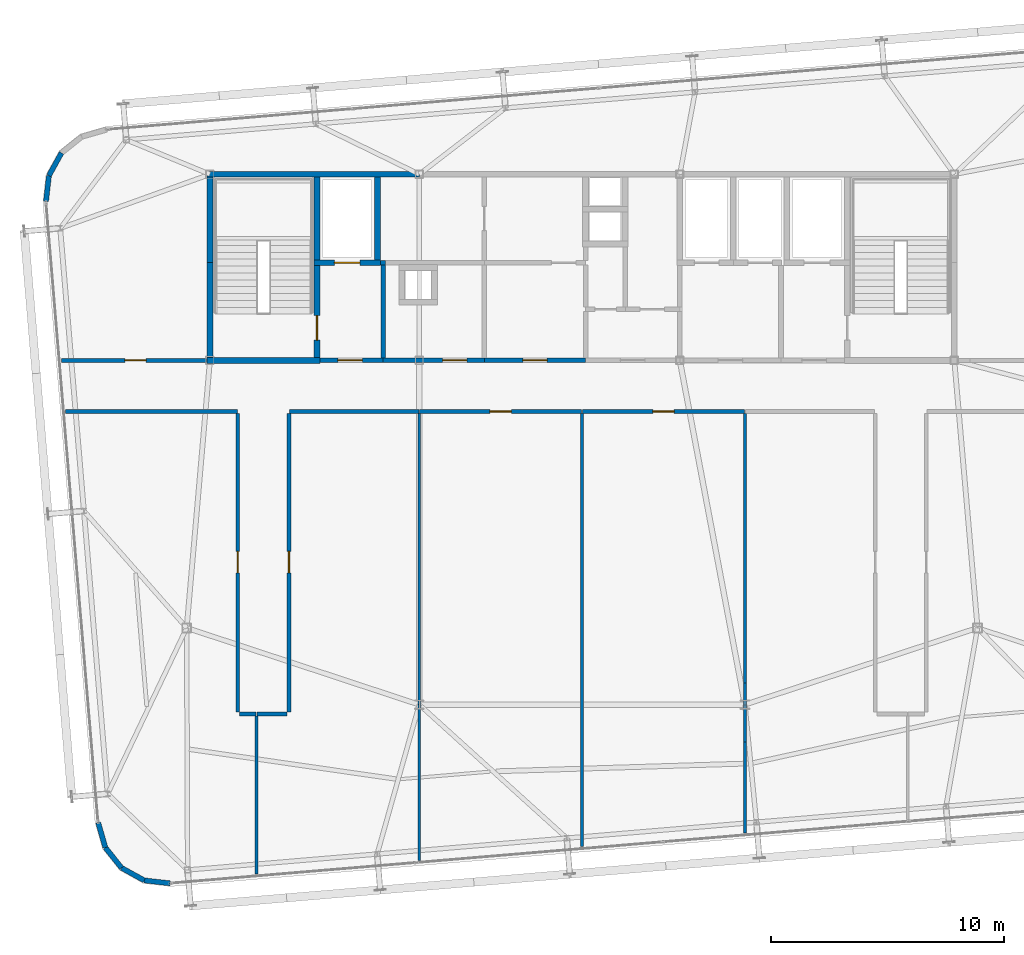
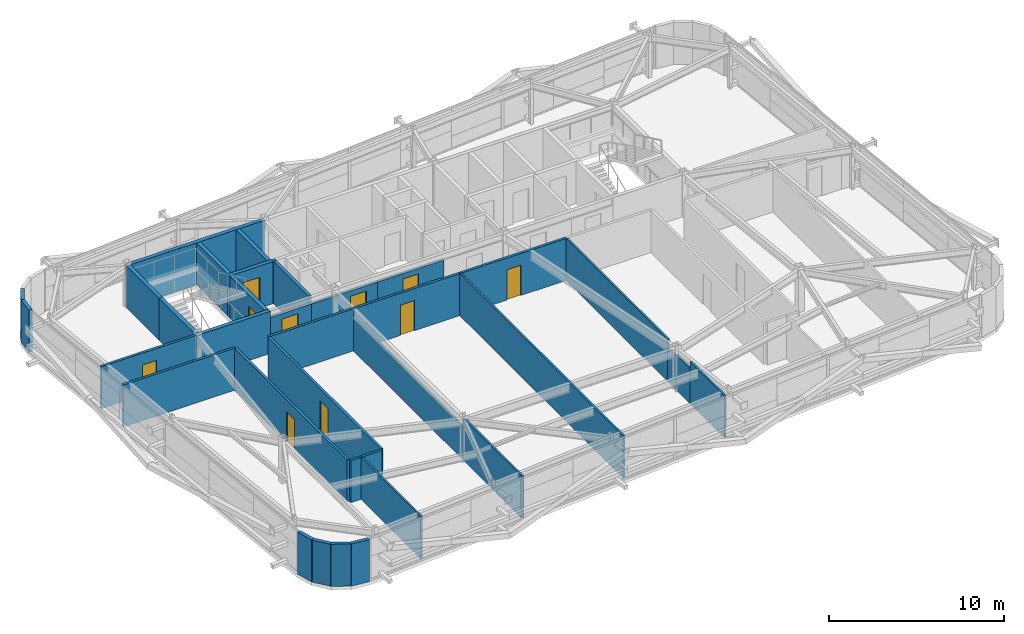
# One storey, part 33 of 37: 36 walls, 10 doors, 10 openings.
"""IFC4 building model written with IfcOpenShell, lengths in metres."""

from ifc_helpers import new_model, si_unit, direction, frame, frame_2d, origin, place, context, subcontext, project, spatial, rectangle, extrude, source, transform, mapped, material, layer, layer_set, type_object, element, fill, save


model = new_model("IFC4")

# Units and contexts
model_context = context("Model", 3, precision=1e-05, world=origin(), true_north=direction((0.0, 1.0)))
body_context = subcontext(model_context, "Body", "Model", "MODEL_VIEW")
ifc_project = project(units=[si_unit("LENGTHUNIT", "METRE"), si_unit("AREAUNIT", "SQUARE_METRE"), si_unit("VOLUMEUNIT", "CUBIC_METRE"), si_unit("PLANEANGLEUNIT", "RADIAN"), si_unit("MASSUNIT", "GRAM", prefix="KILO")], contexts=[model_context])

# Site, building, storey
site_placement = place(None, origin())
site = spatial("IfcSite", under=ifc_project, at=site_placement, CompositionType="ELEMENT")
building_placement = place(site_placement, origin())
building = spatial("IfcBuilding", under=site, at=building_placement, Name="Taldren Reach Tower", CompositionType="ELEMENT")
storey_placement = place(building_placement, frame((0.0, 0.0, 182.0)))
storey = spatial("IfcBuildingStorey", under=building, at=storey_placement, Name="L55", CompositionType="ELEMENT", Elevation=182.0)

# Walls
ifc_material_1 = material(Name="Pale Champagne Anodised Aluminium Cladding", Category="aluminium")
ifc_layer_1 = layer(ifc_material_1, 0.04, Name="Pale Champagne Anodised Aluminium Cladding", Category="aluminium")
ifc_material_2 = material(Name="Mineral Wool Acoustic Insulation", Category="insulation")
ifc_layer_2 = layer(ifc_material_2, 0.06, Name="Mineral Wool Acoustic Insulation", Category="insulation")
ifc_material_3 = material(Name="Steel Gr 350 (C350L0)", Category="steel")
ifc_layer_3 = layer(ifc_material_3, 0.12, Name="Steel Gr 350 (C350L0)", Category="steel")
ifc_layer_set_1 = layer_set([ifc_layer_1, ifc_layer_2, ifc_layer_3], Name="Pale Champagne Aluminium Cladding and Steel Gr 350 Stud Framing")
wall_type_1 = type_object("IfcWallType", Name="EW-CRN-220", PredefinedType="SOLIDWALL", material=ifc_layer_set_1)
shared_shape_1 = source(origin(), body_context, "Body", "SweptSolid", [
    extrude(rectangle(XDim=1.115966796875, YDim=0.219970703125, at=frame_2d((0.55810546875, 0.0))), origin(), (0.0, 0.0, 1.0), 2.929931640625),
])
for number, where, z_axis, x_axis, name in (
    (1, (12.618896484375, 32.9208984375, 0.0), (0.0, 0.0, 1.0), (-0.484100585842, -0.875012355791, 0.0), "Rounded-corner pale-metal facade wall L55-NW3"),
    (2, (12.07861328125, 31.9443359375, 0.0), (0.0, 0.0, 1.0), (-0.112232247342, -0.993682002784, 0.0), "Rounded-corner pale-metal facade wall L55-NW4"),
    (3, (14.19580078125, 4.129638671875, 0.0), (0.0, 0.0, 1.0), (0.276512002475, -0.961010464297, 0.0), "Rounded-corner pale-metal facade wall L55-SW1"),
    (4, (14.50439453125, 3.05712890625, 0.0), (0.0, 0.0, 1.0), (0.623092886403, -0.782147847222, 0.0), "Rounded-corner pale-metal facade wall L55-SW2"),
    (5, (15.19970703125, 2.184326171875, 0.0), (0.0, 0.0, 1.0), (0.875105012065, -0.483933071672, 0.0), "Rounded-corner pale-metal facade wall L55-SW3"),
    (6, (16.17626953125, 1.644287109375, 0.0), (0.0, 0.0, 1.0), (0.993657581277, -0.112448259968, 0.0), "Rounded-corner pale-metal facade wall L55-SW4"),
):
    element("IfcWall", number, at=place(storey_placement, frame(where, z_axis=z_axis, x_axis=x_axis)), inside=storey, type_object=wall_type_1, Name=name, PredefinedType="SOLIDWALL", context=body_context, shape_type="MappedRepresentation", body=[
        mapped(shared_shape_1, transform((0.0, 0.0, 0.0), scale=1.0)),
    ])

# Wall, opening, door
ifc_material_4 = material(Name="Concrete S50 (50 MPa)", Category="concrete")
ifc_layer_4 = layer(ifc_material_4, 0.199951171875)
ifc_layer_set_2 = layer_set([ifc_layer_4], Name="Concrete S50 (50 MPa)")
wall_type_2 = type_object("IfcWallType", Name="IW-CORE-200", PredefinedType="SOLIDWALL", material=ifc_layer_set_2)
shared_shape_2 = source(origin(), body_context, "Body", "SweptSolid", [
    extrude(rectangle(XDim=4.35009765625, YDim=0.199951171875, at=frame_2d((2.175048828125, 0.0))), origin(), (0.0, 0.0, 1.0), 2.469970703125),
])
wall_1_placement = place(storey_placement, frame((30.800048828125, 24.0, 0.0), z_axis=(0.0, 0.0, 1.0), x_axis=(-1.0, 0.0, 0.0)))
wall_1 = element("IfcWall", 7, at=wall_1_placement, inside=storey, type_object=wall_type_2, Name="Rear Core Shear Wall W-INT-L55-034", PredefinedType="SOLIDWALL", context=body_context, shape_type="MappedRepresentation", body=[
    mapped(shared_shape_2, transform((0.0, 0.0, 0.0), scale=1.0)),
])
shared_shape_3 = source(origin(), body_context, "Body", "SweptSolid", [
    extrude(rectangle(XDim=1.050048828125, YDim=2.10009765625, at=frame_2d((0.52490234375, 1.050048828125))), frame((0.0, 0.10986328125, 0.0), z_axis=(0.0, -1.0, 0.0), x_axis=(1.0, 0.0, 0.0)), (0.0, 0.0, 1.0), 0.219970703125),
])
opening_1_placement = place(wall_1_placement, frame((0.75, 0.0, 0.0)))
opening_1 = element("IfcOpeningElement", 8, at=opening_1_placement, cuts=wall_1, Name="Opening DF-105", PredefinedType="OPENING", context=body_context, shape_type="MappedRepresentation", body=[
    mapped(shared_shape_3, transform((0.0, 0.0, 0.0), scale=1.0)),
])
ifc_material_5 = material(Name="Fire-Rated Care and Stair Exit Door")
door_type_1 = type_object("IfcDoorType", Name="ID-FIRE-105", OperationType="NOTDEFINED", PredefinedType="DOOR", material=ifc_material_5)
shared_shape_4 = source(origin(), body_context, "Body", "SweptSolid", [
    extrude(rectangle(XDim=1.050048828125, YDim=2.10009765625, at=frame_2d((0.52490234375, 1.050048828125))), frame((0.0, 0.02490234375, 0.0), z_axis=(0.0, -1.0, 0.0), x_axis=(1.0, 0.0, 0.0)), (0.0, 0.0, 1.0), 0.050048828125),
])
door_1_placement = place(opening_1_placement, frame((1.050048828125, 0.0, 0.0), z_axis=(0.0, 0.0, 1.0), x_axis=(-1.0, 0.0, 0.0)))
door_1 = element("IfcDoor", 9, at=door_1_placement, inside=storey, type_object=door_type_1, Name="Interior Door DR-L55-006", OperationType="SINGLE_SWING_RIGHT", OverallHeight=2.10009765625, OverallWidth=1.050048828125, PredefinedType="DOOR", context=body_context, shape_type="MappedRepresentation", body=[
    mapped(shared_shape_4, transform((0.0, 0.0, 0.0), scale=1.0)),
])
fill(opening_1, door_1)

shared_shape_5 = source(origin(), body_context, "Body", "SweptSolid", [
    extrude(rectangle(XDim=4.349853515625, YDim=0.199951171875, at=frame_2d((2.1748046875, 0.0))), origin(), (0.0, 0.0, 1.0), 2.469970703125),
])
wall_2_placement = place(storey_placement, frame((35.14990234375, 24.0, 0.0), z_axis=(0.0, 0.0, 1.0), x_axis=(-1.0, 0.0, 0.0)))
wall_2 = element("IfcWall", 10, at=wall_2_placement, inside=storey, type_object=wall_type_2, Name="Rear Core Shear Wall W-INT-L55-039", PredefinedType="SOLIDWALL", context=body_context, shape_type="MappedRepresentation", body=[
    mapped(shared_shape_5, transform((0.0, 0.0, 0.0), scale=1.0)),
])
opening_2_placement = place(wall_2_placement, frame((1.64990234375, 0.0, 0.0)))
opening_2 = element("IfcOpeningElement", 11, at=opening_2_placement, cuts=wall_2, Name="Opening DF-105", PredefinedType="OPENING", context=body_context, shape_type="MappedRepresentation", body=[
    mapped(shared_shape_3, transform((0.0, 0.0, 0.0), scale=1.0)),
])
door_2_placement = place(opening_2_placement, frame((1.050048828125, 0.0, 0.0), z_axis=(0.0, 0.0, 1.0), x_axis=(-1.0, 0.0, 0.0)))
door_2 = element("IfcDoor", 12, at=door_2_placement, inside=storey, type_object=door_type_1, Name="Interior Door DR-L55-009", OperationType="SINGLE_SWING_LEFT", OverallHeight=2.10009765625, OverallWidth=1.050048828125, PredefinedType="DOOR", context=body_context, shape_type="MappedRepresentation", body=[
    mapped(shared_shape_4, transform((0.0, 0.0, 0.0), scale=1.0)),
])
fill(opening_2, door_2)

# Walls
ifc_material_6 = material(Name="Fire-Rated Acoustic Plasterboard Stud Wall", Category="gypsum")
ifc_layer_5 = layer(ifc_material_6, 0.159912109375)
ifc_layer_set_3 = layer_set([ifc_layer_5], Name="Fire-Rated Acoustic Plasterboard Stud Wall")
wall_type_3 = type_object("IfcWallType", Name="IW-FIRE-160", PredefinedType="PARTITIONING", material=ifc_layer_set_3)
shared_shape_6 = source(origin(), body_context, "Body", "SweptSolid", [
    extrude(rectangle(XDim=1.2998046875, YDim=0.159912109375, at=frame_2d((0.64990234375, 0.0))), origin(), (0.0, 0.0, 1.0), 2.929931640625),
])
wall_3_placement = place(storey_placement, frame((22.320068359375, 8.800048828125, 0.0), z_axis=(0.0, 0.0, 1.0), x_axis=(-1.0, 0.0, 0.0)))
element("IfcWall", 13, at=wall_3_placement, inside=storey, type_object=wall_type_3, Name="Interior Partition Wall W-INT-L55-051", PredefinedType="PARTITIONING", context=body_context, shape_type="MappedRepresentation", body=[
    mapped(shared_shape_6, transform((0.0, 0.0, 0.0), scale=1.0)),
])
shared_shape_7 = source(origin(), body_context, "Body", "SweptSolid", [
    extrude(rectangle(XDim=0.69970703125, YDim=0.159912109375, at=frame_2d((0.349853515625, 0.0))), origin(), (0.0, 0.0, 1.0), 2.929931640625),
])
wall_4_placement = place(storey_placement, frame((20.979736328125, 8.800048828125, 0.0), z_axis=(0.0, 0.0, 1.0), x_axis=(-1.0, 0.0, 0.0)))
element("IfcWall", 14, at=wall_4_placement, inside=storey, type_object=wall_type_3, Name="Interior Partition Wall W-INT-L55-048", PredefinedType="PARTITIONING", context=body_context, shape_type="MappedRepresentation", body=[
    mapped(shared_shape_7, transform((0.0, 0.0, 0.0), scale=1.0)),
])
shared_shape_8 = source(origin(), body_context, "Body", "SweptSolid", [
    extrude(rectangle(XDim=4.0, YDim=0.199951171875, at=frame_2d((2.0, 0.0))), origin(), (0.0, 0.0, 1.0), 2.929931640625),
])
wall_5_placement = place(storey_placement, frame((26.449951171875, 24.10009765625, 0.0), z_axis=(0.0, 0.0, 1.0), x_axis=(0.0, 1.0, 0.0)))
element("IfcWall", 15, at=wall_5_placement, inside=storey, type_object=wall_type_2, Name="Rear Core Shear Wall W-INT-L55-006", PredefinedType="SOLIDWALL", context=body_context, shape_type="MappedRepresentation", body=[
    mapped(shared_shape_8, transform((0.0, 0.0, 0.0), scale=1.0)),
])
ifc_material_7 = material(Name="Insulated Residential Stud Partition", Category="gypsum")
ifc_layer_6 = layer(ifc_material_7, 0.1201171875)
ifc_layer_set_4 = layer_set([ifc_layer_6], Name="Insulated Residential Stud Partition")
wall_type_4 = type_object("IfcWallType", Name="IW-PART-120", PredefinedType="PARTITIONING", material=ifc_layer_set_4)
shared_shape_9 = source(origin(), body_context, "Body", "SweptSolid", [
    extrude(rectangle(XDim=11.589599609375, YDim=0.1201171875, at=frame_2d((5.794921875, 0.0))), origin(), (0.0, 0.0, 1.0), 2.929931640625),
])
wall_6_placement = place(storey_placement, frame((42.0, 21.719970703125, 0.0), z_axis=(0.0, 0.0, 1.0), x_axis=(0.0, -1.0, 0.0)))
element("IfcWall", 16, at=wall_6_placement, inside=storey, type_object=wall_type_4, Name="Interior Partition Wall W-INT-L55-065", PredefinedType="PARTITIONING", context=body_context, shape_type="MappedRepresentation", body=[
    mapped(shared_shape_9, transform((0.0, 0.0, 0.0), scale=1.0)),
])
shared_shape_10 = source(origin(), body_context, "Body", "SweptSolid", [
    extrude(rectangle(XDim=0.941650390625, YDim=0.1201171875, at=frame_2d((0.470703125, 0.0))), origin(), (0.0, 0.0, 1.0), 2.327880859375),
])
wall_7_placement = place(storey_placement, frame((42.0, 10.13037109375, 0.0), z_axis=(0.0, 0.0, 1.0), x_axis=(0.0, -1.0, 0.0)))
element("IfcWall", 17, at=wall_7_placement, inside=storey, type_object=wall_type_4, Name="Interior Partition Wall W-INT-L55-065 part 2", PredefinedType="PARTITIONING", context=body_context, shape_type="MappedRepresentation", body=[
    mapped(shared_shape_10, transform((0.0, 0.0, 0.0), scale=1.0)),
])

# Wall, opening, door
shared_shape_11 = source(origin(), body_context, "Body", "SweptSolid", [
    extrude(rectangle(XDim=6.95947265625, YDim=0.159912109375, at=frame_2d((3.479736328125, 0.0))), origin(), (0.0, 0.0, 1.0), 2.929931640625),
])
wall_8_placement = place(storey_placement, frame((34.979736328125, 21.800048828125, 0.0), z_axis=(0.0, 0.0, 1.0), x_axis=(-1.0, 0.0, 0.0)))
wall_8 = element("IfcWall", 18, at=wall_8_placement, inside=storey, type_object=wall_type_3, Name="Interior Partition Wall W-INT-L55-052", PredefinedType="PARTITIONING", context=body_context, shape_type="MappedRepresentation", body=[
    mapped(shared_shape_11, transform((0.0, 0.0, 0.0), scale=1.0)),
])
shared_shape_12 = source(origin(), body_context, "Body", "SweptSolid", [
    extrude(rectangle(XDim=0.919921875, YDim=2.10009765625, at=frame_2d((0.4599609375, 1.050048828125))), frame((0.0, 0.08984375, 0.0), z_axis=(0.0, -1.0, 0.0), x_axis=(1.0, 0.0, 0.0)), (0.0, 0.0, 1.0), 0.179931640625),
])
opening_3_placement = place(wall_8_placement, frame((3.019775390625, 0.0, 0.0)))
opening_3 = element("IfcOpeningElement", 19, at=opening_3_placement, cuts=wall_8, Name="Opening DI-092", PredefinedType="OPENING", context=body_context, shape_type="MappedRepresentation", body=[
    mapped(shared_shape_12, transform((0.0, 0.0, 0.0), scale=1.0)),
])
ifc_material_8 = material(Name="Solid-Core Timber Suite Door", Category="wood")
door_type_2 = type_object("IfcDoorType", Name="ID-INT-092", OperationType="NOTDEFINED", PredefinedType="DOOR", material=ifc_material_8)
shared_shape_13 = source(origin(), body_context, "Body", "SweptSolid", [
    extrude(rectangle(XDim=0.919921875, YDim=2.10009765625, at=frame_2d((0.4599609375, 1.050048828125))), frame((0.0, 0.02490234375, 0.0), z_axis=(0.0, -1.0, 0.0), x_axis=(1.0, 0.0, 0.0)), (0.0, 0.0, 1.0), 0.050048828125),
])
door_3_placement = place(opening_3_placement, origin())
door_3 = element("IfcDoor", 20, at=door_3_placement, inside=storey, type_object=door_type_2, Name="Interior Door DR-L55-016", OperationType="SINGLE_SWING_LEFT", OverallHeight=2.10009765625, OverallWidth=0.919921875, PredefinedType="DOOR", context=body_context, shape_type="MappedRepresentation", body=[
    mapped(shared_shape_13, transform((0.0, 0.0, 0.0), scale=1.0)),
])
fill(opening_3, door_3)

wall_9_placement = place(storey_placement, frame((41.979736328125, 21.800048828125, 0.0), z_axis=(0.0, 0.0, 1.0), x_axis=(-1.0, 0.0, 0.0)))
wall_9 = element("IfcWall", 21, at=wall_9_placement, inside=storey, type_object=wall_type_3, Name="Interior Partition Wall W-INT-L55-054", PredefinedType="PARTITIONING", context=body_context, shape_type="MappedRepresentation", body=[
    mapped(shared_shape_11, transform((0.0, 0.0, 0.0), scale=1.0)),
])
opening_4_placement = place(wall_9_placement, frame((3.019775390625, 0.0, 0.0)))
opening_4 = element("IfcOpeningElement", 22, at=opening_4_placement, cuts=wall_9, Name="Opening DI-092", PredefinedType="OPENING", context=body_context, shape_type="MappedRepresentation", body=[
    mapped(shared_shape_12, transform((0.0, 0.0, 0.0), scale=1.0)),
])
door_4_placement = place(opening_4_placement, origin())
door_4 = element("IfcDoor", 23, at=door_4_placement, inside=storey, type_object=door_type_2, Name="Interior Door DR-L55-018", OperationType="SINGLE_SWING_LEFT", OverallHeight=2.10009765625, OverallWidth=0.919921875, PredefinedType="DOOR", context=body_context, shape_type="MappedRepresentation", body=[
    mapped(shared_shape_13, transform((0.0, 0.0, 0.0), scale=1.0)),
])
fill(opening_4, door_4)

# Walls
shared_shape_14 = source(origin(), body_context, "Body", "SweptSolid", [
    extrude(rectangle(XDim=12.52001953125, YDim=0.1201171875, at=frame_2d((6.260009765625, 0.0))), origin(), (0.0, 0.0, 1.0), 2.327880859375),
])
wall_10_placement = place(storey_placement, frame((28.0, 21.719970703125, 0.0), z_axis=(0.0, 0.0, 1.0), x_axis=(0.0, -1.0, 0.0)))
element("IfcWall", 24, at=wall_10_placement, inside=storey, type_object=wall_type_4, Name="Interior Partition Wall W-INT-L55-063", PredefinedType="PARTITIONING", context=body_context, shape_type="MappedRepresentation", body=[
    mapped(shared_shape_14, transform((0.0, 0.0, 0.0), scale=1.0)),
])
ifc_material_9 = material(Name="Concrete S65 (65 MPa)", Category="concrete")
ifc_layer_7 = layer(ifc_material_9, 0.25)
ifc_layer_set_5 = layer_set([ifc_layer_7], Name="Concrete S65 (65 MPa)")
wall_type_5 = type_object("IfcWallType", Name="IW-CORE-250", PredefinedType="SHEAR", material=ifc_layer_set_5)
shared_shape_15 = source(origin(), body_context, "Body", "SweptSolid", [
    extrude(rectangle(XDim=9.125, YDim=0.25, at=frame_2d((4.5625, 0.0))), origin(), (0.0, 0.0, 1.0), 2.929931640625),
])
wall_11_placement = place(storey_placement, frame((18.875, 32.0, 0.0), z_axis=(0.0, 0.0, 1.0), x_axis=(1.0, 0.0, 0.0)))
element("IfcWall", 25, at=wall_11_placement, inside=storey, type_object=wall_type_5, Name="Rear Core Shear Wall W-CORE-L55-NORTH1", PredefinedType="SHEAR", context=body_context, shape_type="MappedRepresentation", body=[
    mapped(shared_shape_15, transform((0.0, 0.0, 0.0), scale=1.0)),
])
shared_shape_16 = source(origin(), body_context, "Body", "SweptSolid", [
    extrude(rectangle(XDim=4.074951171875, YDim=0.25, at=frame_2d((2.03759765625, 0.0))), origin(), (0.0, 0.0, 1.0), 2.929931640625),
])
wall_12_placement = place(storey_placement, frame((19.0, 24.125, 0.0), z_axis=(0.0, 0.0, 1.0), x_axis=(0.0, 1.0, 0.0)))
element("IfcWall", 26, at=wall_12_placement, inside=storey, type_object=wall_type_5, Name="Rear Core Shear Wall W-CORE-L55-WEST1", PredefinedType="SHEAR", context=body_context, shape_type="MappedRepresentation", body=[
    mapped(shared_shape_16, transform((0.0, 0.0, 0.0), scale=1.0)),
])
shared_shape_17 = source(origin(), body_context, "Body", "SweptSolid", [
    extrude(rectangle(XDim=3.675048828125, YDim=0.25, at=frame_2d((1.83740234375, 0.0))), origin(), (0.0, 0.0, 1.0), 2.929931640625),
])
wall_13_placement = place(storey_placement, frame((19.0, 28.199951171875, 0.0), z_axis=(0.0, 0.0, 1.0), x_axis=(0.0, 1.0, 0.0)))
element("IfcWall", 27, at=wall_13_placement, inside=storey, type_object=wall_type_5, Name="Rear Core Shear Wall W-CORE-L55-WEST2", PredefinedType="SHEAR", context=body_context, shape_type="MappedRepresentation", body=[
    mapped(shared_shape_17, transform((0.0, 0.0, 0.0), scale=1.0)),
])
shared_shape_18 = source(origin(), body_context, "Body", "SweptSolid", [
    extrude(rectangle(XDim=3.550048828125, YDim=0.25, at=frame_2d((1.77490234375, 0.0))), origin(), (0.0, 0.0, 1.0), 2.929931640625),
])
for number, where, z_axis, x_axis, name in (
    (28, (23.60009765625, 28.324951171875, 0.0), (0.0, 0.0, 1.0), (0.0, 1.0, 0.0), "Rear Core Shear Wall W-INT-L55-001"),
    (29, (26.199951171875, 28.324951171875, 0.0), (0.0, 0.0, 1.0), (0.0, 1.0, 0.0), "Rear Core Shear Wall W-INT-L55-005"),
):
    element("IfcWall", number, at=place(storey_placement, frame(where, z_axis=z_axis, x_axis=x_axis)), inside=storey, type_object=wall_type_5, Name=name, PredefinedType="SHEAR", context=body_context, shape_type="MappedRepresentation", body=[
        mapped(shared_shape_18, transform((0.0, 0.0, 0.0), scale=1.0)),
    ])

# Wall, opening, door
shared_shape_19 = source(origin(), body_context, "Body", "SweptSolid", [
    extrude(rectangle(XDim=3.949951171875, YDim=0.25, at=frame_2d((1.97509765625, 0.0))), origin(), (0.0, 0.0, 1.0), 2.929931640625),
])
wall_14_placement = place(storey_placement, frame((23.60009765625, 24.125, 0.0), z_axis=(0.0, 0.0, 1.0), x_axis=(0.0, 1.0, 0.0)))
wall_14 = element("IfcWall", 30, at=wall_14_placement, inside=storey, type_object=wall_type_5, Name="Rear Core Shear Wall W-INT-L55-002", PredefinedType="SHEAR", context=body_context, shape_type="MappedRepresentation", body=[
    mapped(shared_shape_19, transform((0.0, 0.0, 0.0), scale=1.0)),
])
shared_shape_20 = source(origin(), body_context, "Body", "SweptSolid", [
    extrude(rectangle(XDim=1.050048828125, YDim=2.10009765625, at=frame_2d((0.52490234375, 1.050048828125))), frame((0.0, 0.135009765625, 0.0), z_axis=(0.0, -1.0, 0.0), x_axis=(1.0, 0.0, 0.0)), (0.0, 0.0, 1.0), 0.27001953125),
])
opening_5_placement = place(wall_14_placement, frame((0.75, 0.0, 0.0)))
opening_5 = element("IfcOpeningElement", 31, at=opening_5_placement, cuts=wall_14, Name="Opening DF-105", PredefinedType="OPENING", context=body_context, shape_type="MappedRepresentation", body=[
    mapped(shared_shape_20, transform((0.0, 0.0, 0.0), scale=1.0)),
])
door_5_placement = place(opening_5_placement, origin())
door_5 = element("IfcDoor", 32, at=door_5_placement, inside=storey, type_object=door_type_1, Name="Fire Exit Stair Door DR-L55-001", OperationType="SINGLE_SWING_LEFT", OverallHeight=2.10009765625, OverallWidth=1.050048828125, PredefinedType="DOOR", context=body_context, shape_type="MappedRepresentation", body=[
    mapped(shared_shape_4, transform((0.0, 0.0, 0.0), scale=1.0)),
])
fill(opening_5, door_5)

# Wall
shared_shape_21 = source(origin(), body_context, "Body", "SweptSolid", [
    extrude(rectangle(XDim=4.85009765625, YDim=0.25, at=frame_2d((2.425048828125, 0.0))), origin(), (0.0, 0.0, 1.0), 2.929931640625),
])
wall_15_placement = place(storey_placement, frame((18.875, 24.0, 0.0), z_axis=(0.0, 0.0, 1.0), x_axis=(1.0, 0.0, 0.0)))
element("IfcWall", 33, at=wall_15_placement, inside=storey, type_object=wall_type_5, Name="Rear Core Shear Wall W-INT-L55-003", PredefinedType="SHEAR", context=body_context, shape_type="MappedRepresentation", body=[
    mapped(shared_shape_21, transform((0.0, 0.0, 0.0), scale=1.0)),
])

# Wall, opening, door
shared_shape_22 = source(origin(), body_context, "Body", "SweptSolid", [
    extrude(rectangle(XDim=2.849853515625, YDim=0.25, at=frame_2d((1.4248046875, 0.0))), origin(), (0.0, 0.0, 1.0), 2.929931640625),
])
wall_16_placement = place(storey_placement, frame((23.47509765625, 28.199951171875, 0.0), z_axis=(0.0, 0.0, 1.0), x_axis=(1.0, 0.0, 0.0)))
wall_16 = element("IfcWall", 34, at=wall_16_placement, inside=storey, type_object=wall_type_5, Name="Rear Core Shear Wall W-INT-L55-004", PredefinedType="SHEAR", context=body_context, shape_type="MappedRepresentation", body=[
    mapped(shared_shape_22, transform((0.0, 0.0, 0.0), scale=1.0)),
])
shared_shape_23 = source(origin(), body_context, "Body", "SweptSolid", [
    extrude(rectangle(XDim=1.10009765625, YDim=2.14990234375, at=frame_2d((0.550048828125, 1.074951171875))), frame((0.0, 0.135009765625, 0.0), z_axis=(0.0, -1.0, 0.0), x_axis=(1.0, 0.0, 0.0)), (0.0, 0.0, 1.0), 0.27001953125),
])
opening_6_placement = place(wall_16_placement, frame((0.875, 0.0, 0.0)))
opening_6 = element("IfcOpeningElement", 35, at=opening_6_placement, cuts=wall_16, Name="Opening LD-FL1", PredefinedType="OPENING", context=body_context, shape_type="MappedRepresentation", body=[
    mapped(shared_shape_23, transform((0.0, 0.0, 0.0), scale=1.0)),
])
ifc_material_10 = material(Name="Stainless Steel Gr 316 Emergency Lift Landing Door", Category="steel")
door_type_3 = type_object("IfcDoorType", Name="LD-EMG-110", OperationType="SLIDING_TO_LEFT", PredefinedType="DOOR", material=ifc_material_10)
shared_shape_24 = source(origin(), body_context, "Body", "SweptSolid", [
    extrude(rectangle(XDim=1.10009765625, YDim=2.14990234375, at=frame_2d((0.550048828125, 1.074951171875))), frame((0.0, 0.02490234375, 0.0), z_axis=(0.0, -1.0, 0.0), x_axis=(1.0, 0.0, 0.0)), (0.0, 0.0, 1.0), 0.050048828125),
])
door_6_placement = place(opening_6_placement, origin())
door_6 = element("IfcDoor", 36, at=door_6_placement, inside=storey, type_object=door_type_3, Name="Lift Landing Door LD-FL1-L55", OperationType="SLIDING_TO_LEFT", OverallHeight=2.14990234375, OverallWidth=1.10009765625, PredefinedType="DOOR", context=body_context, shape_type="MappedRepresentation", body=[
    mapped(shared_shape_24, transform((0.0, 0.0, 0.0), scale=1.0)),
])
fill(opening_6, door_6)

shared_shape_25 = source(origin(), body_context, "Body", "SweptSolid", [
    extrude(rectangle(XDim=2.724853515625, YDim=0.199951171875, at=frame_2d((1.3623046875, 0.0))), origin(), (0.0, 0.0, 1.0), 2.469970703125),
])
wall_17_placement = place(storey_placement, frame((23.72509765625, 24.0, 0.0), z_axis=(0.0, 0.0, 1.0), x_axis=(1.0, 0.0, 0.0)))
wall_17 = element("IfcWall", 37, at=wall_17_placement, inside=storey, type_object=wall_type_2, Name="Rear Core Shear Wall W-INT-L55-007", PredefinedType="SOLIDWALL", context=body_context, shape_type="MappedRepresentation", body=[
    mapped(shared_shape_25, transform((0.0, 0.0, 0.0), scale=1.0)),
])
opening_7_placement = place(wall_17_placement, frame((0.77490234375, 0.0, 0.0)))
opening_7 = element("IfcOpeningElement", 38, at=opening_7_placement, cuts=wall_17, Name="Opening DF-105", PredefinedType="OPENING", context=body_context, shape_type="MappedRepresentation", body=[
    mapped(shared_shape_3, transform((0.0, 0.0, 0.0), scale=1.0)),
])
door_7_placement = place(opening_7_placement, origin())
door_7 = element("IfcDoor", 39, at=door_7_placement, inside=storey, type_object=door_type_1, Name="Interior Door DR-L55-002", OperationType="SINGLE_SWING_LEFT", OverallHeight=2.10009765625, OverallWidth=1.050048828125, PredefinedType="DOOR", context=body_context, shape_type="MappedRepresentation", body=[
    mapped(shared_shape_4, transform((0.0, 0.0, 0.0), scale=1.0)),
])
fill(opening_7, door_7)

shared_shape_26 = source(origin(), body_context, "Body", "SweptSolid", [
    extrude(rectangle(XDim=6.250732421875, YDim=0.159912109375, at=frame_2d((3.12548828125, 0.0))), origin(), (0.0, 0.0, 1.0), 2.929931640625),
])
wall_18_placement = place(storey_placement, frame((12.624267578125, 24.0, 0.0), z_axis=(0.0, 0.0, 1.0), x_axis=(1.0, 0.0, 0.0)))
wall_18 = element("IfcWall", 40, at=wall_18_placement, inside=storey, type_object=wall_type_3, Name="Interior Partition Wall W-INT-L55-045", PredefinedType="PARTITIONING", context=body_context, shape_type="MappedRepresentation", body=[
    mapped(shared_shape_26, transform((0.0, 0.0, 0.0), scale=1.0)),
])
opening_8_placement = place(wall_18_placement, frame((2.7177734375, 0.0, 0.0)))
opening_8 = element("IfcOpeningElement", 41, at=opening_8_placement, cuts=wall_18, Name="Opening DI-092", PredefinedType="OPENING", context=body_context, shape_type="MappedRepresentation", body=[
    mapped(shared_shape_12, transform((0.0, 0.0, 0.0), scale=1.0)),
])
door_8_placement = place(opening_8_placement, origin())
door_8 = element("IfcDoor", 42, at=door_8_placement, inside=storey, type_object=door_type_2, Name="Interior Door DR-L55-013", OperationType="SINGLE_SWING_RIGHT", OverallHeight=2.10009765625, OverallWidth=0.919921875, PredefinedType="DOOR", context=body_context, shape_type="MappedRepresentation", body=[
    mapped(shared_shape_13, transform((0.0, 0.0, 0.0), scale=1.0)),
])
fill(opening_8, door_8)

shared_shape_27 = source(origin(), body_context, "Body", "SweptSolid", [
    extrude(rectangle(XDim=12.840087890625, YDim=0.159912109375, at=frame_2d((6.419921875, 0.0))), origin(), (0.0, 0.0, 1.0), 2.929931640625),
])
wall_19_placement = place(storey_placement, frame((20.199951171875, 8.8798828125, 0.0), z_axis=(0.0, 0.0, 1.0), x_axis=(0.0, 1.0, 0.0)))
wall_19 = element("IfcWall", 43, at=wall_19_placement, inside=storey, type_object=wall_type_3, Name="Interior Partition Wall W-INT-L55-046", PredefinedType="PARTITIONING", context=body_context, shape_type="MappedRepresentation", body=[
    mapped(shared_shape_27, transform((0.0, 0.0, 0.0), scale=1.0)),
])
opening_9_placement = place(wall_19_placement, frame((5.989990234375, 0.0, 0.0)))
opening_9 = element("IfcOpeningElement", 44, at=opening_9_placement, cuts=wall_19, Name="Opening DI-092", PredefinedType="OPENING", context=body_context, shape_type="MappedRepresentation", body=[
    mapped(shared_shape_12, transform((0.0, 0.0, 0.0), scale=1.0)),
])
door_9_placement = place(opening_9_placement, origin())
door_9 = element("IfcDoor", 45, at=door_9_placement, inside=storey, type_object=door_type_2, Name="Interior Door DR-L55-014", OperationType="SINGLE_SWING_LEFT", OverallHeight=2.10009765625, OverallWidth=0.919921875, PredefinedType="DOOR", context=body_context, shape_type="MappedRepresentation", body=[
    mapped(shared_shape_13, transform((0.0, 0.0, 0.0), scale=1.0)),
])
fill(opening_9, door_9)

wall_20_placement = place(storey_placement, frame((22.39990234375, 21.719970703125, 0.0), z_axis=(0.0, 0.0, 1.0), x_axis=(0.0, -1.0, 0.0)))
wall_20 = element("IfcWall", 46, at=wall_20_placement, inside=storey, type_object=wall_type_3, Name="Interior Partition Wall W-INT-L55-049", PredefinedType="PARTITIONING", context=body_context, shape_type="MappedRepresentation", body=[
    mapped(shared_shape_27, transform((0.0, 0.0, 0.0), scale=1.0)),
])
opening_10_placement = place(wall_20_placement, frame((5.93017578125, 0.0, 0.0)))
opening_10 = element("IfcOpeningElement", 47, at=opening_10_placement, cuts=wall_20, Name="Opening DI-092", PredefinedType="OPENING", context=body_context, shape_type="MappedRepresentation", body=[
    mapped(shared_shape_12, transform((0.0, 0.0, 0.0), scale=1.0)),
])
door_10_placement = place(opening_10_placement, origin())
door_10 = element("IfcDoor", 48, at=door_10_placement, inside=storey, type_object=door_type_2, Name="Interior Door DR-L55-015", OperationType="SINGLE_SWING_RIGHT", OverallHeight=2.10009765625, OverallWidth=0.919921875, PredefinedType="DOOR", context=body_context, shape_type="MappedRepresentation", body=[
    mapped(shared_shape_13, transform((0.0, 0.0, 0.0), scale=1.0)),
])
fill(opening_10, door_10)

# Walls
shared_shape_28 = source(origin(), body_context, "Body", "SweptSolid", [
    extrude(rectangle(XDim=3.92578125, YDim=0.1201171875, at=frame_2d((1.962890625, 0.0))), origin(), (0.0, 0.0, 1.0), 2.929931640625),
])
wall_21_placement = place(storey_placement, frame((42.0, 7.603515625, 0.0), z_axis=(0.0, 0.0, 1.0), x_axis=(0.0, -1.0, 0.0)))
element("IfcWall", 49, at=wall_21_placement, inside=storey, type_object=wall_type_4, Name="Interior Partition Wall W-INT-L55-065 part 4", PredefinedType="PARTITIONING", context=body_context, shape_type="MappedRepresentation", body=[
    mapped(shared_shape_28, transform((0.0, 0.0, 0.0), scale=1.0)),
])
shared_shape_29 = source(origin(), body_context, "Body", "SweptSolid", [
    extrude(rectangle(XDim=6.8056640625, YDim=0.1201171875, at=frame_2d((3.40283203125, 0.0))), origin(), (0.0, 0.0, 1.0), 2.929931640625),
])
wall_22_placement = place(storey_placement, frame((21.0, 8.719970703125, 0.0), z_axis=(0.0, 0.0, 1.0), x_axis=(0.0, -1.0, 0.0)))
element("IfcWall", 50, at=wall_22_placement, inside=storey, type_object=wall_type_4, Name="Interior Partition Wall W-INT-L55-062", PredefinedType="PARTITIONING", context=body_context, shape_type="MappedRepresentation", body=[
    mapped(shared_shape_29, transform((0.0, 0.0, 0.0), scale=1.0)),
])
shared_shape_30 = source(origin(), body_context, "Body", "SweptSolid", [
    extrude(rectangle(XDim=0.22509765625, YDim=0.199951171875, at=frame_2d((0.112548828125, 0.0))), origin(), (0.0, 0.0, 1.0), 2.929931640625),
])
wall_23_placement = place(storey_placement, frame((26.324951171875, 28.199951171875, 0.0), z_axis=(0.0, 0.0, 1.0), x_axis=(1.0, 0.0, 0.0)))
element("IfcWall", 51, at=wall_23_placement, inside=storey, type_object=wall_type_2, Name="Rear Core Partition Wall W-INT-L55-068", PredefinedType="SOLIDWALL", context=body_context, shape_type="MappedRepresentation", body=[
    mapped(shared_shape_30, transform((0.0, 0.0, 0.0), scale=1.0)),
])
shared_shape_31 = source(origin(), body_context, "Body", "SweptSolid", [
    extrude(rectangle(XDim=7.384033203125, YDim=0.159912109375, at=frame_2d((3.69189453125, 0.0))), origin(), (0.0, 0.0, 1.0), 2.929931640625),
])
wall_24_placement = place(storey_placement, frame((20.1796875, 21.800048828125, 0.0), z_axis=(0.0, 0.0, 1.0), x_axis=(-1.0, 0.0, 0.0)))
element("IfcWall", 52, at=wall_24_placement, inside=storey, type_object=wall_type_3, Name="Interior Partition Wall W-INT-L55-047", PredefinedType="PARTITIONING", context=body_context, shape_type="MappedRepresentation", body=[
    mapped(shared_shape_31, transform((0.0, 0.0, 0.0), scale=1.0)),
])
shared_shape_32 = source(origin(), body_context, "Body", "SweptSolid", [
    extrude(rectangle(XDim=5.559326171875, YDim=0.159912109375, at=frame_2d((2.77978515625, 0.0))), origin(), (0.0, 0.0, 1.0), 2.929931640625),
])
wall_25_placement = place(storey_placement, frame((27.979736328125, 21.800048828125, 0.0), z_axis=(0.0, 0.0, 1.0), x_axis=(-1.0, 0.0, 0.0)))
element("IfcWall", 53, at=wall_25_placement, inside=storey, type_object=wall_type_3, Name="Interior Partition Wall W-INT-L55-050", PredefinedType="PARTITIONING", context=body_context, shape_type="MappedRepresentation", body=[
    mapped(shared_shape_32, transform((0.0, 0.0, 0.0), scale=1.0)),
])
shared_shape_33 = source(origin(), body_context, "Body", "SweptSolid", [
    extrude(rectangle(XDim=6.69775390625, YDim=0.1201171875, at=frame_2d((3.348876953125, 0.0))), origin(), (0.0, 0.0, 1.0), 2.929931640625),
])
wall_26_placement = place(storey_placement, frame((28.0, 9.199951171875, 0.0), z_axis=(0.0, 0.0, 1.0), x_axis=(0.0, -1.0, 0.0)))
element("IfcWall", 54, at=wall_26_placement, inside=storey, type_object=wall_type_4, Name="Interior Partition Wall W-INT-L55-063 part 2", PredefinedType="PARTITIONING", context=body_context, shape_type="MappedRepresentation", body=[
    mapped(shared_shape_33, transform((0.0, 0.0, 0.0), scale=1.0)),
])
shared_shape_34 = source(origin(), body_context, "Body", "SweptSolid", [
    extrude(rectangle(XDim=18.6259765625, YDim=0.1201171875, at=frame_2d((9.31298828125, 0.0))), origin(), (0.0, 0.0, 1.0), 2.929931640625),
])
wall_27_placement = place(storey_placement, frame((35.0, 21.718017578125, 0.0), z_axis=(0.0, 0.0, 1.0), x_axis=(0.0, -1.0, 0.0)))
element("IfcWall", 55, at=wall_27_placement, inside=storey, type_object=wall_type_4, Name="Interior Partition Wall W-INT-L55-064", PredefinedType="PARTITIONING", context=body_context, shape_type="MappedRepresentation", body=[
    mapped(shared_shape_34, transform((0.0, 0.0, 0.0), scale=1.0)),
])
shared_shape_35 = source(origin(), body_context, "Body", "SweptSolid", [
    extrude(rectangle(XDim=1.585205078125, YDim=0.1201171875, at=frame_2d((0.79248046875, 0.0))), origin(), (0.0, 0.0, 1.0), 2.469970703125),
])
wall_28_placement = place(storey_placement, frame((42.0, 9.188720703125, 0.0), z_axis=(0.0, 0.0, 1.0), x_axis=(0.0, -1.0, 0.0)))
element("IfcWall", 56, at=wall_28_placement, inside=storey, type_object=wall_type_4, Name="Interior Partition Wall W-INT-L55-065 part 3", PredefinedType="PARTITIONING", context=body_context, shape_type="MappedRepresentation", body=[
    mapped(shared_shape_35, transform((0.0, 0.0, 0.0), scale=1.0)),
])

save(model, "model.ifc")
